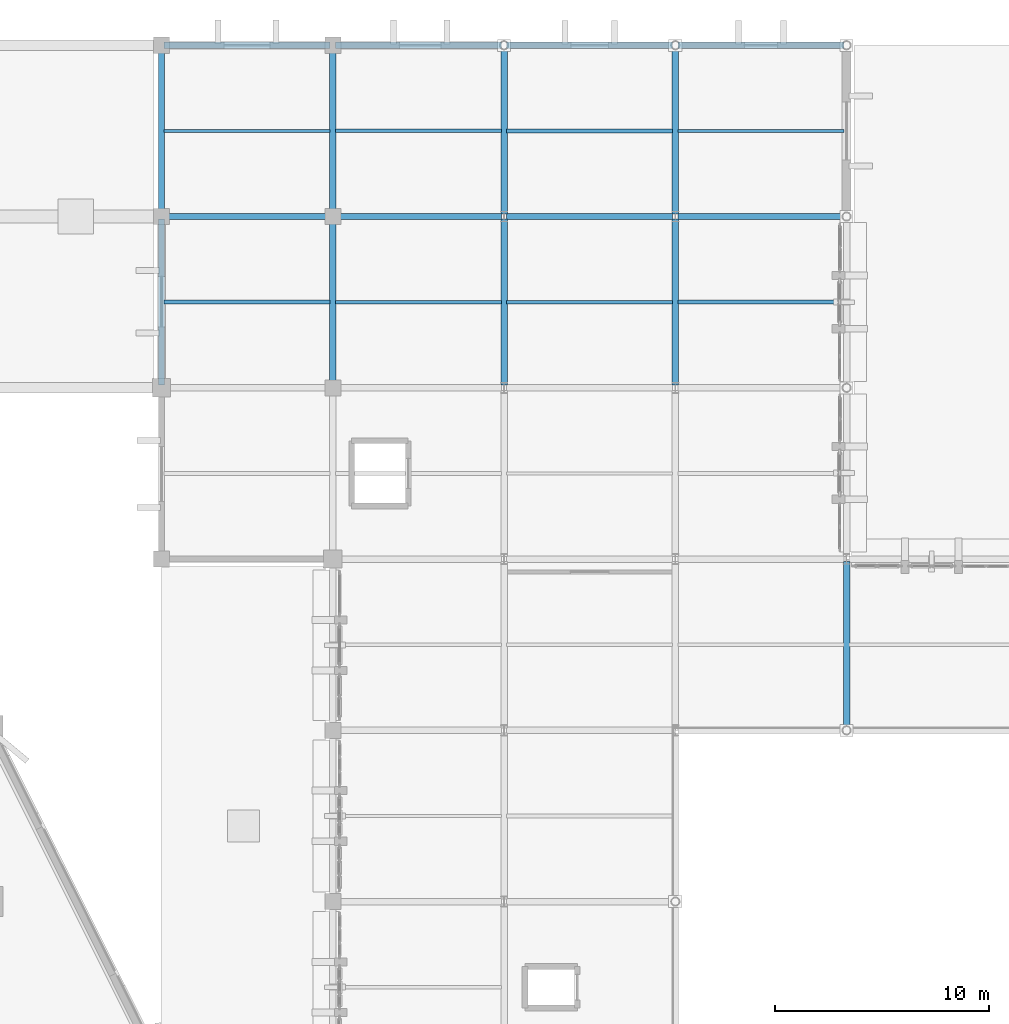
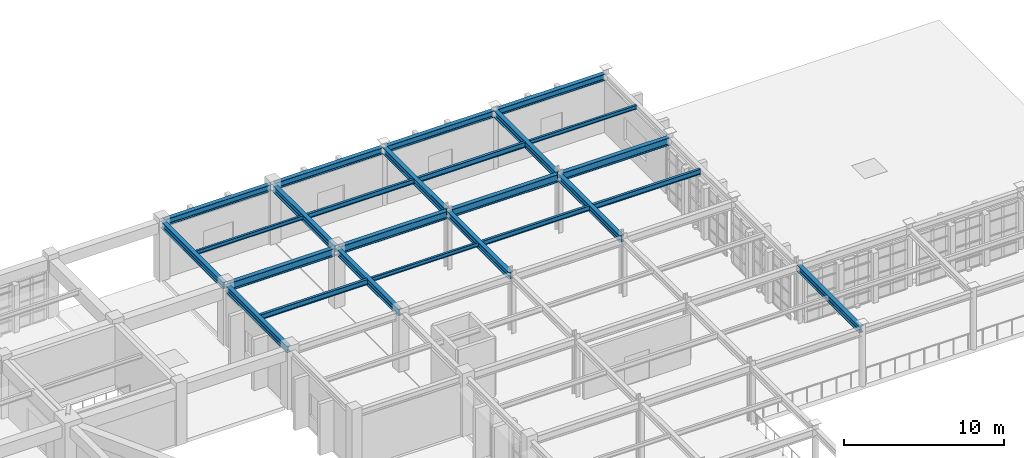
# One storey, part 43 of 155: 25 beams.
"""IFC4 building model written with IfcOpenShell, lengths in metres."""

from ifc_helpers import new_model, si_unit, direction, frame, origin, origin_2d, place, context, subcontext, project, spatial, i_section, extrude, material, material_profile, profile_set, type_object, element, save


model = new_model("IFC4")

# Units and contexts
model_context = context("Model", 3, precision=1e-05, world=origin(), true_north=direction((0.0, 1.0)))
body_context = subcontext(model_context, "Body", "Model", "MODEL_VIEW")
ifc_project = project(units=[si_unit("LENGTHUNIT", "METRE"), si_unit("AREAUNIT", "SQUARE_METRE"), si_unit("VOLUMEUNIT", "CUBIC_METRE"), si_unit("PLANEANGLEUNIT", "RADIAN"), si_unit("MASSUNIT", "GRAM", prefix="KILO")], contexts=[model_context])

# Site, building, storey
site_placement = place(None, origin())
site = spatial("IfcSite", under=ifc_project, at=site_placement, CompositionType="ELEMENT")
building_placement = place(site_placement, origin())
building = spatial("IfcBuilding", under=site, at=building_placement, Name="Tazarka Park Arena", CompositionType="ELEMENT")
storey_placement = place(building_placement, frame((0.0, 0.0, 5.39990234375)))
storey = spatial("IfcBuildingStorey", under=building, at=storey_placement, Name="L01", CompositionType="ELEMENT", Elevation=5.39990234375)

# Beams
ifc_material_1 = material(Name="Steel S355", Category="steel")
ifc_material_profile_1 = material_profile(ifc_material_1, i_section(OverallWidth=0.300048828125, OverallDepth=0.590087890625, WebThickness=0.012939453125, FlangeThickness=0.02490234375, FilletRadius=0.027099609375, at=origin_2d()), Name="Steel S355")
ifc_profile_set_1 = profile_set([ifc_material_profile_1], Name="Steel S355")
beam_type_1 = type_object("IfcBeamType", Name="BM-B-07", PredefinedType="BEAM", material=ifc_profile_set_1)
for number, where, z_axis, x_axis, name in (
    (1, (128.1201171875, 120.0, 4.125), (1.0, 0.0, 0.0), (0.0, 1.0, 0.0), "GXM-L01-16-15"),
    (2, (136.1201171875, 120.0, 4.125), (1.0, 0.0, 0.0), (0.0, 1.0, 0.0), "GXM-L01-17-15"),
    (3, (144.1201171875, 120.0, 4.125), (1.0, 0.0, 0.0), (0.0, 1.0, 0.0), "GXM-L01-18-15"),
    (4, (152.1201171875, 120.0, 4.125), (1.0, 0.0, 0.0), (0.0, 1.0, 0.0), "GXM-L01-19-15"),
):
    element("IfcBeam", number, at=place(storey_placement, frame(where, z_axis=z_axis, x_axis=x_axis)), inside=storey, type_object=beam_type_1, Name=name, PredefinedType="BEAM", context=body_context, shape_type="SweptSolid", body=[
        extrude(i_section(OverallWidth=0.300048828125, OverallDepth=0.590087890625, WebThickness=0.012939453125, FlangeThickness=0.02490234375, FilletRadius=0.027099609375, at=origin_2d()), origin(), (0.0, 0.0, 1.0), 7.759765625),
    ])
ifc_material_2 = material(Name="Steel S355", Category="steel")
ifc_material_profile_2 = material_profile(ifc_material_2, i_section(OverallWidth=0.300048828125, OverallDepth=0.5, WebThickness=0.014404296875, FlangeThickness=0.028076171875, FilletRadius=0.027099609375, at=origin_2d()), Name="Steel S355")
ifc_profile_set_2 = profile_set([ifc_material_profile_2], Name="Steel S355")
beam_type_2 = type_object("IfcBeamType", Name="BM-B-08", PredefinedType="BEAM", material=ifc_profile_set_2)
for number, where, z_axis, x_axis, name in (
    (5, (128.0, 112.1201171875, 4.170166015625), (0.0, 1.0, 0.0), (-1.0, 0.0, 0.0), "GYM-L01-16-14"),
    (6, (128.0, 120.1201171875, 4.170166015625), (0.0, 1.0, 0.0), (-1.0, 0.0, 0.0), "GYM-L01-16-15"),
    (7, (136.0, 112.1201171875, 4.170166015625), (0.0, 1.0, 0.0), (-1.0, 0.0, 0.0), "GYM-L01-17-14"),
    (8, (136.0, 120.1201171875, 4.170166015625), (0.0, 1.0, 0.0), (-1.0, 0.0, 0.0), "GYM-L01-17-15"),
    (9, (144.0, 112.1201171875, 4.170166015625), (0.0, 1.0, 0.0), (-1.0, 0.0, 0.0), "GYM-L01-18-14"),
    (10, (144.0, 120.1201171875, 4.170166015625), (0.0, 1.0, 0.0), (-1.0, 0.0, 0.0), "GYM-L01-18-15"),
    (11, (152.0, 112.1201171875, 4.170166015625), (0.0, 1.0, 0.0), (-1.0, 0.0, 0.0), "GYM-L01-19-14"),
    (12, (152.0, 120.1201171875, 4.170166015625), (0.0, 1.0, 0.0), (-1.0, 0.0, 0.0), "GYM-L01-19-15"),
    (13, (160.0, 96.1201171875, 4.170166015625), (0.0, 1.0, 0.0), (-1.0, 0.0, 0.0), "GYM-L01-20-12"),
):
    element("IfcBeam", number, at=place(storey_placement, frame(where, z_axis=z_axis, x_axis=x_axis)), inside=storey, type_object=beam_type_2, Name=name, PredefinedType="BEAM", context=body_context, shape_type="SweptSolid", body=[
        extrude(i_section(OverallWidth=0.300048828125, OverallDepth=0.5, WebThickness=0.014404296875, FlangeThickness=0.028076171875, FilletRadius=0.027099609375, at=origin_2d()), origin(), (0.0, 0.0, 1.0), 7.759765625),
    ])
ifc_material_3 = material(Name="Steel S355", Category="steel")
ifc_material_profile_3 = material_profile(ifc_material_3, i_section(OverallWidth=0.14990234375, OverallDepth=0.300048828125, WebThickness=0.007080078125, FlangeThickness=0.0107421875, FilletRadius=0.014892578125, at=origin_2d()), Name="Steel S355")
ifc_profile_set_3 = profile_set([ifc_material_profile_3], Name="Steel S355")
beam_type_3 = type_object("IfcBeamType", Name="BM-J-01", PredefinedType="JOIST", material=ifc_profile_set_3)
for number, where, z_axis, x_axis, name in (
    (14, (128.1201171875, 124.0, 4.27001953125), (1.0, 0.0, 0.0), (0.0, 1.0, 0.0), "JST-L01-16-15"),
    (15, (136.1201171875, 116.0, 4.27001953125), (1.0, 0.0, 0.0), (0.0, 1.0, 0.0), "JST-L01-17-14"),
    (16, (152.1201171875, 124.0, 4.27001953125), (1.0, 0.0, 0.0), (0.0, 1.0, 0.0), "JST-L01-19-15"),
):
    element("IfcBeam", number, at=place(storey_placement, frame(where, z_axis=z_axis, x_axis=x_axis)), inside=storey, type_object=beam_type_3, Name=name, PredefinedType="JOIST", context=body_context, shape_type="SweptSolid", body=[
        extrude(i_section(OverallWidth=0.14990234375, OverallDepth=0.300048828125, WebThickness=0.007080078125, FlangeThickness=0.0107421875, FilletRadius=0.014892578125, at=origin_2d()), origin(), (0.0, 0.0, 1.0), 7.759765625),
    ])
ifc_material_4 = material(Name="Steel S355", Category="steel")
ifc_material_profile_4 = material_profile(ifc_material_4, i_section(OverallWidth=0.169921875, OverallDepth=0.360107421875, WebThickness=0.008056640625, FlangeThickness=0.0126953125, FilletRadius=0.01806640625, at=origin_2d()), Name="Steel S355")
ifc_profile_set_4 = profile_set([ifc_material_profile_4], Name="Steel S355")
beam_type_4 = type_object("IfcBeamType", Name="BM-J-02", PredefinedType="JOIST", material=ifc_profile_set_4)
for number, where, z_axis, x_axis, name in (
    (17, (136.1201171875, 124.0, 4.239990234375), (1.0, 0.0, 0.0), (0.0, 1.0, 0.0), "JST-L01-17-15"),
    (18, (144.1201171875, 116.0, 4.239990234375), (1.0, 0.0, 0.0), (0.0, 1.0, 0.0), "JST-L01-18-14"),
):
    element("IfcBeam", number, at=place(storey_placement, frame(where, z_axis=z_axis, x_axis=x_axis)), inside=storey, type_object=beam_type_4, Name=name, PredefinedType="JOIST", context=body_context, shape_type="SweptSolid", body=[
        extrude(i_section(OverallWidth=0.169921875, OverallDepth=0.360107421875, WebThickness=0.008056640625, FlangeThickness=0.0126953125, FilletRadius=0.01806640625, at=origin_2d()), origin(), (0.0, 0.0, 1.0), 7.759765625),
    ])
ifc_material_5 = material(Name="Steel S355", Category="steel")
ifc_material_profile_5 = material_profile(ifc_material_5, i_section(OverallWidth=0.179931640625, OverallDepth=0.39990234375, WebThickness=0.008544921875, FlangeThickness=0.013427734375, FilletRadius=0.02099609375, at=origin_2d()), Name="Steel S355")
ifc_profile_set_5 = profile_set([ifc_material_profile_5], Name="Steel S355")
beam_type_5 = type_object("IfcBeamType", Name="BM-J-03", PredefinedType="JOIST", material=ifc_profile_set_5)
for number, where, z_axis, x_axis, name in (
    (19, (128.1201171875, 116.0, 4.22021484375), (1.0, 0.0, 0.0), (0.0, 1.0, 0.0), "JST-L01-16-14"),
    (20, (144.1201171875, 124.0, 4.22021484375), (1.0, 0.0, 0.0), (0.0, 1.0, 0.0), "JST-L01-18-15"),
    (21, (152.1201171875, 116.0, 4.22021484375), (1.0, 0.0, 0.0), (0.0, 1.0, 0.0), "JST-L01-19-14"),
):
    element("IfcBeam", number, at=place(storey_placement, frame(where, z_axis=z_axis, x_axis=x_axis)), inside=storey, type_object=beam_type_5, Name=name, PredefinedType="JOIST", context=body_context, shape_type="SweptSolid", body=[
        extrude(i_section(OverallWidth=0.179931640625, OverallDepth=0.39990234375, WebThickness=0.008544921875, FlangeThickness=0.013427734375, FilletRadius=0.02099609375, at=origin_2d()), origin(), (0.0, 0.0, 1.0), 7.759765625),
    ])
ifc_material_6 = material(Name="Steel S355", Category="steel")
ifc_material_profile_6 = material_profile(ifc_material_6, i_section(OverallWidth=0.300048828125, OverallDepth=0.489990234375, WebThickness=0.011962890625, FlangeThickness=0.02294921875, FilletRadius=0.027099609375, at=origin_2d()), Name="Steel S355")
ifc_profile_set_6 = profile_set([ifc_material_profile_6], Name="Steel S355")
beam_type_6 = type_object("IfcBeamType", Name="BM-SP-02", PredefinedType="SPANDREL", material=ifc_profile_set_6)
for number, where, z_axis, x_axis, name in (
    (22, (128.1201171875, 128.0, 4.175048828125), (1.0, 0.0, 0.0), (0.0, 1.0, 0.0), "GXM-L01-16-16"),
    (23, (136.1201171875, 128.0, 4.175048828125), (1.0, 0.0, 0.0), (0.0, 1.0, 0.0), "GXM-L01-17-16"),
    (24, (144.1201171875, 128.0, 4.175048828125), (1.0, 0.0, 0.0), (0.0, 1.0, 0.0), "GXM-L01-18-16"),
    (25, (152.1201171875, 128.0, 4.175048828125), (1.0, 0.0, 0.0), (0.0, 1.0, 0.0), "GXM-L01-19-16"),
):
    element("IfcBeam", number, at=place(storey_placement, frame(where, z_axis=z_axis, x_axis=x_axis)), inside=storey, type_object=beam_type_6, Name=name, PredefinedType="SPANDREL", context=body_context, shape_type="SweptSolid", body=[
        extrude(i_section(OverallWidth=0.300048828125, OverallDepth=0.489990234375, WebThickness=0.011962890625, FlangeThickness=0.02294921875, FilletRadius=0.027099609375, at=origin_2d()), origin(), (0.0, 0.0, 1.0), 7.759765625),
    ])

save(model, "model.ifc")
